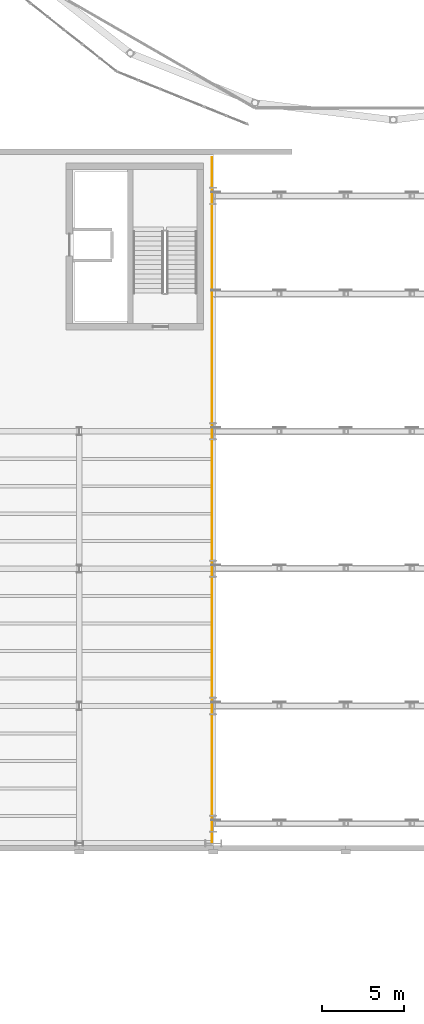
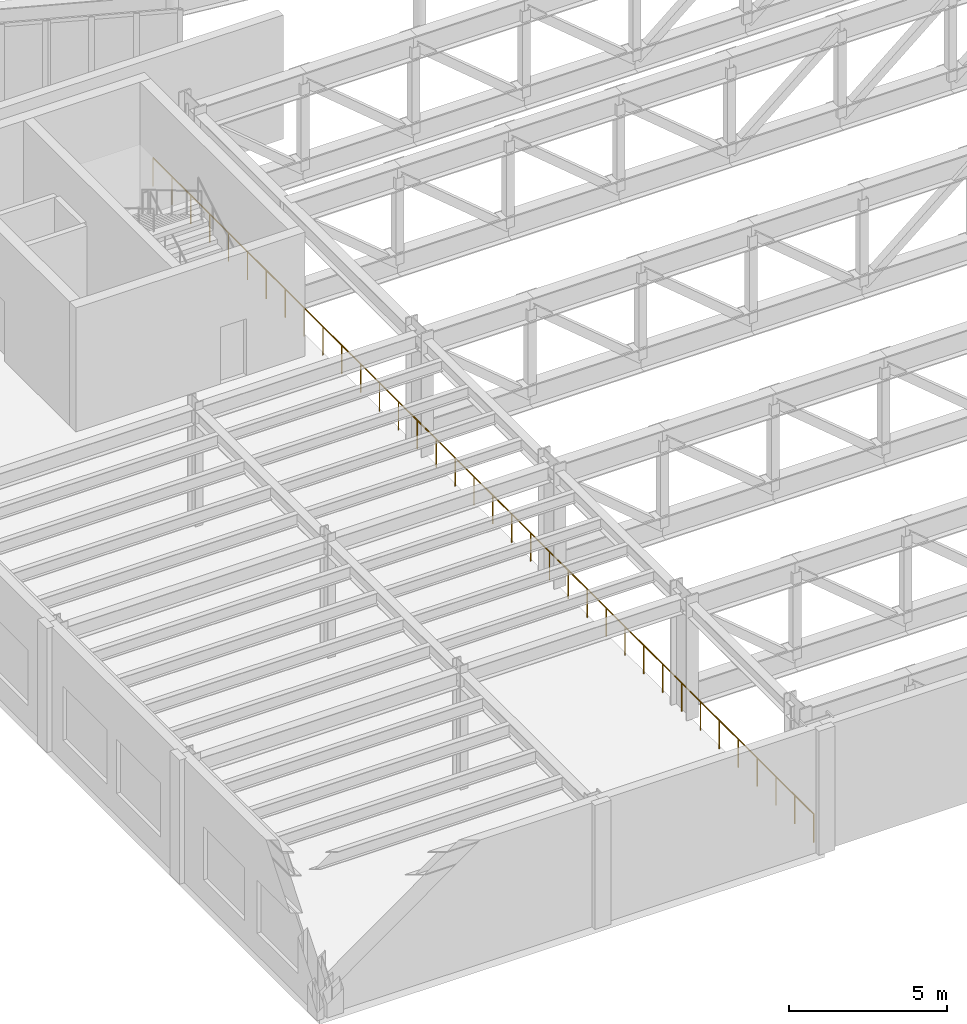
# One storey, part 85 of 91: 1 railing.
"""IFC4 building model written with IfcOpenShell, lengths in metres."""

import ifcopenshell
import ifcopenshell.guid

model = None  # the IFC model being written
_history = None  # IfcOwnerHistory: only IFC2X3 demands one
_inside = {}  # id of a spatial element -> (the spatial element, [elements in it])
_under = {}  # id of a project, library or spatial element -> (it, [spatial elements below it])
_declared = {}  # id of a project -> (the project, [libraries it declares])
_typed = {}  # id of a type object -> (the type object, [elements of that type])
_made_of = {}  # id of a material, layer set ... -> (it, [elements and type objects made of it])


def new_model(schema):
    """Start an empty IFC model of exactly this schema.

    Asked for "IFC4X3", IfcOpenShell would pick the latest addendum, in which some entities
    have other attributes; the version numbers below select the first issue.
    IFC2X3 requires an IfcOwnerHistory on every rooted entity: one is made here for all.
    """
    global model, _history
    if schema == "IFC4X3":
        model = ifcopenshell.file(schema_version=(4, 3, 0, 0))
    else:
        model = ifcopenshell.file(schema=schema)
    _inside.clear()
    _under.clear()
    _declared.clear()
    _typed.clear()
    _made_of.clear()
    _history = None
    if model.schema == "IFC2X3":
        org = make("IfcOrganization", Name="unknown")
        user = make(
            "IfcPersonAndOrganization",
            ThePerson=make("IfcPerson", FamilyName="unknown"),
            TheOrganization=org,
        )
        app = make(
            "IfcApplication",
            ApplicationDeveloper=org,
            Version="unknown",
            ApplicationFullName="unknown",
            ApplicationIdentifier="unknown",
        )
        _history = make(
            "IfcOwnerHistory",
            OwningUser=user,
            OwningApplication=app,
            ChangeAction="ADDED",
            CreationDate=0,
        )
    return model


def make(cls, **values):
    """One entity of the class cls with the attributes given. An attribute that is None is left unset."""
    return model.create_entity(
        cls, **{name: value for name, value in values.items() if value is not None}
    )


def rooted(cls, **values):
    """An entity with a GlobalId (a new one), such as an element, a storey or a relation."""
    return make(cls, GlobalId=ifcopenshell.guid.new(), OwnerHistory=_history, **values)


def si_unit(unit_type, name, prefix=None):
    """IfcSIUnit, for example si_unit("LENGTHUNIT", "METRE", prefix="MILLI")."""
    return make("IfcSIUnit", UnitType=unit_type, Prefix=prefix, Name=name)


def assignment(units):
    """IfcUnitAssignment: the units of a project."""
    return None if units is None else make("IfcUnitAssignment", Units=units)


def point(xyz):
    """IfcCartesianPoint."""
    return None if xyz is None else make("IfcCartesianPoint", Coordinates=xyz)


def direction(xyz):
    """IfcDirection."""
    return None if xyz is None else make("IfcDirection", DirectionRatios=xyz)


def frame(location, z_axis=None, x_axis=None):
    """IfcAxis2Placement3D, a coordinate frame: its origin and axes. An axis left out is left unset."""
    return make(
        "IfcAxis2Placement3D",
        Location=point(location),
        Axis=direction(z_axis),
        RefDirection=direction(x_axis),
    )


def frame_2d(location, x_axis=None):
    """IfcAxis2Placement2D, a coordinate frame in the plane: its origin and x axis."""
    return make(
        "IfcAxis2Placement2D", Location=point(location), RefDirection=direction(x_axis)
    )


def origin():
    """The frame at (0, 0, 0) with its axes left unset."""
    return frame((0.0, 0.0, 0.0))


def origin_2d():
    """The frame at (0, 0) in the plane with its x axis left unset."""
    return frame_2d((0.0, 0.0))


def place(relative_to, where):
    """IfcLocalPlacement: puts the frame where relative to a parent placement (None: the world)."""
    return make(
        "IfcLocalPlacement", PlacementRelTo=relative_to, RelativePlacement=where
    )


def context(
    kind, dimensions, precision=None, world=None, true_north=None, identifier=None
):
    """IfcGeometricRepresentationContext, for example the 3D "Model" context."""
    return make(
        "IfcGeometricRepresentationContext",
        ContextIdentifier=identifier,
        ContextType=kind,
        CoordinateSpaceDimension=dimensions,
        Precision=precision,
        WorldCoordinateSystem=world,
        TrueNorth=true_north,
    )


def subcontext(parent, identifier, kind, view, scale=None):
    """IfcGeometricRepresentationSubContext, for example "Body" below "Model"."""
    return make(
        "IfcGeometricRepresentationSubContext",
        ContextIdentifier=identifier,
        ContextType=kind,
        ParentContext=parent,
        TargetScale=scale,
        TargetView=view,
    )


def project(units=None, contexts=None):
    """IfcProject with its units and contexts."""
    return rooted(
        "IfcProject",
        Name="project",
        RepresentationContexts=contexts,
        UnitsInContext=assignment(units),
    )


def spatial(cls, under=None, at=None, **own):
    """A site, building, storey or space (cls), placed at a placement, below another one or the project."""
    s = rooted(cls, ObjectPlacement=at, **own)
    if under is not None:
        _under.setdefault(under.id(), (under, []))[1].append(s)
    return s


def profile(cls, at=None, kind="AREA", **sizes):
    """A parametric profile (cls). Its sizes go by their IFC names, for example OverallWidth=200.0."""
    return make(cls, ProfileType=kind, Position=at, **sizes)


def circle(**sizes):
    """IfcCircleProfileDef."""
    return profile("IfcCircleProfileDef", **sizes)


def extrude(swept, where, along, depth):
    """IfcExtrudedAreaSolid: the profile swept, set in the frame where, extruded along a direction by depth."""
    return make(
        "IfcExtrudedAreaSolid",
        SweptArea=swept,
        Position=where,
        ExtrudedDirection=direction(along),
        Depth=depth,
    )


def shape(context_of_items, identifier, shape_type, items):
    """IfcShapeRepresentation: the items that make up one representation, for example the "Body"."""
    return make(
        "IfcShapeRepresentation",
        ContextOfItems=context_of_items,
        RepresentationIdentifier=identifier,
        RepresentationType=shape_type,
        Items=items,
    )


def material(Name=None, Category=None):
    """IfcMaterial."""
    return make("IfcMaterial", Name=Name, Category=Category)


def made_of(thing, what):
    """Note that an element or type object is made of a material, layer set ...; save() writes the relation."""
    if what is not None:
        _made_of.setdefault(what.id(), (what, []))[1].append(thing)
    return thing


def type_object(cls, material=None, **own):
    """A type object (cls), such as IfcWallType, which elements share."""
    return made_of(rooted(cls, **own), material)


def element(
    cls,
    number,
    at=None,
    inside=None,
    cuts=None,
    type_object=None,
    material=None,
    context=None,
    identifier="Body",
    shape_type=None,
    held_by="IfcProductDefinitionShape",
    body=None,
    shapes=None,
    **own,
):
    """One element of the class cls, such as IfcWall. Its Tag is "e" and its number.

    at: its placement. inside: the storey or other place that contains it. cuts: it is an
    opening in that element (IfcRelVoidsElement). A single representation is given by context,
    identifier, shape_type and body (its items); several are given by shapes. held_by: the class
    of the entity that holds the representations. save() writes the other relations.
    """
    e = rooted(cls, Tag="e%d" % number, ObjectPlacement=at, **own)
    if body is not None:
        shapes = [shape(context, identifier, shape_type, body)]
    if shapes is not None:
        e.Representation = make(held_by, Representations=shapes)
    if inside is not None:
        _inside.setdefault(inside.id(), (inside, []))[1].append(e)
    if cuts is not None:
        rooted(
            "IfcRelVoidsElement", RelatingBuildingElement=cuts, RelatedOpeningElement=e
        )
    if type_object is not None:
        _typed.setdefault(type_object.id(), (type_object, []))[1].append(e)
    return made_of(e, material)


def aggregate(whole, parts):
    """IfcRelAggregates: a whole, such as a stair, and the parts it consists of."""
    return rooted("IfcRelAggregates", RelatingObject=whole, RelatedObjects=parts)


def save(model, path):
    """Write the relations noted so far, then the file.

    IfcRelAggregates (storeys below a building ...), IfcRelContainedInSpatialStructure (elements
    in a storey), IfcRelDefinesByType, IfcRelAssociatesMaterial and IfcRelDeclares: one each for
    every whole, place, type object, material and project.
    """
    for whole, parts in _under.values():
        aggregate(whole, parts)
    for where, things in _inside.values():
        rooted(
            "IfcRelContainedInSpatialStructure",
            RelatedElements=things,
            RelatingStructure=where,
        )
    for kind, things in _typed.values():
        rooted("IfcRelDefinesByType", RelatedObjects=things, RelatingType=kind)
    for what, things in _made_of.values():
        rooted("IfcRelAssociatesMaterial", RelatedObjects=things, RelatingMaterial=what)
    for by, libraries in _declared.values():
        rooted("IfcRelDeclares", RelatingContext=by, RelatedDefinitions=libraries)
    model.write(path)


model = new_model("IFC4")

# Units and contexts
model_context = context("Model", 3, precision=1e-05, world=origin(), true_north=direction((0.0, 1.0)))
body_context = subcontext(model_context, "Body", "Model", "MODEL_VIEW")
ifc_project = project(units=[si_unit("LENGTHUNIT", "METRE"), si_unit("AREAUNIT", "SQUARE_METRE"), si_unit("VOLUMEUNIT", "CUBIC_METRE"), si_unit("PLANEANGLEUNIT", "RADIAN"), si_unit("MASSUNIT", "GRAM", prefix="KILO")], contexts=[model_context])

# Site, building, storey
site_placement = place(None, origin())
site = spatial("IfcSite", under=ifc_project, at=site_placement, CompositionType="ELEMENT")
building_placement = place(site_placement, origin())
building = spatial("IfcBuilding", under=site, at=building_placement, Name="Sollismere Congress Hotel", CompositionType="ELEMENT")
storey_placement = place(building_placement, frame((0.0, 0.0, 10.800048828125)))
storey = spatial("IfcBuildingStorey", under=building, at=storey_placement, Name="L02", CompositionType="ELEMENT", Elevation=10.800048828125)

# Railing
ifc_material = material(Name="Steel ASTM A500 Grade C", Category="steel")
railing_type = type_object("IfcRailingType", Name="RL-GRD112", PredefinedType="GUARDRAIL", material=ifc_material)
railing_placement = place(storey_placement, frame((17.919921875, 24.85009765625, 0.0)))
element("IfcRailing", 1, at=railing_placement, inside=storey, type_object=railing_type, Name="RLG-GDA-L02-084", PredefinedType="GUARDRAIL", context=body_context, shape_type="SweptSolid", body=[
    extrude(circle(Radius=0.02392578125, at=origin_2d()), frame((0.0, 0.0, 1.09619140625), z_axis=(0.0, 1.0, 0.0), x_axis=(-1.0, 0.0, 0.0)), (0.0, 0.0, 1.0), 41.89990234375),
    extrude(circle(Radius=0.02099609375, at=origin_2d()), origin(), (0.0, 0.0, 1.0), 1.072021484375),
    extrude(circle(Radius=0.02099609375, at=origin_2d()), frame((0.0, 1.197021484375, 0.0)), (0.0, 0.0, 1.0), 1.072021484375),
    extrude(circle(Radius=0.02099609375, at=origin_2d()), frame((0.0, 2.394287109375, 0.0)), (0.0, 0.0, 1.0), 1.072021484375),
    extrude(circle(Radius=0.02099609375, at=origin_2d()), frame((0.0, 3.59130859375, 0.0)), (0.0, 0.0, 1.0), 1.072021484375),
    extrude(circle(Radius=0.02099609375, at=origin_2d()), frame((0.0, 4.78857421875, 0.0)), (0.0, 0.0, 1.0), 1.072021484375),
    extrude(circle(Radius=0.02099609375, at=origin_2d()), frame((0.0, 5.985595703125, 0.0)), (0.0, 0.0, 1.0), 1.072021484375),
    extrude(circle(Radius=0.02099609375, at=origin_2d()), frame((0.0, 7.182861328125, 0.0)), (0.0, 0.0, 1.0), 1.072021484375),
    extrude(circle(Radius=0.02099609375, at=origin_2d()), frame((0.0, 8.3798828125, 0.0)), (0.0, 0.0, 1.0), 1.072021484375),
    extrude(circle(Radius=0.02099609375, at=origin_2d()), frame((0.0, 9.5771484375, 0.0)), (0.0, 0.0, 1.0), 1.072021484375),
    extrude(circle(Radius=0.02099609375, at=origin_2d()), frame((0.0, 10.774169921875, 0.0)), (0.0, 0.0, 1.0), 1.072021484375),
    extrude(circle(Radius=0.02099609375, at=origin_2d()), frame((0.0, 11.971435546875, 0.0)), (0.0, 0.0, 1.0), 1.072021484375),
    extrude(circle(Radius=0.02099609375, at=origin_2d()), frame((0.0, 13.16845703125, 0.0)), (0.0, 0.0, 1.0), 1.072021484375),
    extrude(circle(Radius=0.02099609375, at=origin_2d()), frame((0.0, 14.36572265625, 0.0)), (0.0, 0.0, 1.0), 1.072021484375),
    extrude(circle(Radius=0.02099609375, at=origin_2d()), frame((0.0, 15.562744140625, 0.0)), (0.0, 0.0, 1.0), 1.072021484375),
    extrude(circle(Radius=0.02099609375, at=origin_2d()), frame((0.0, 16.760009765625, 0.0)), (0.0, 0.0, 1.0), 1.072021484375),
    extrude(circle(Radius=0.02099609375, at=origin_2d()), frame((0.0, 17.95703125, 0.0)), (0.0, 0.0, 1.0), 1.072021484375),
    extrude(circle(Radius=0.02099609375, at=origin_2d()), frame((0.0, 19.154296875, 0.0)), (0.0, 0.0, 1.0), 1.072021484375),
    extrude(circle(Radius=0.02099609375, at=origin_2d()), frame((0.0, 20.351318359375, 0.0)), (0.0, 0.0, 1.0), 1.072021484375),
    extrude(circle(Radius=0.02099609375, at=origin_2d()), frame((0.0, 21.548583984375, 0.0)), (0.0, 0.0, 1.0), 1.072021484375),
    extrude(circle(Radius=0.02099609375, at=origin_2d()), frame((0.0, 22.74560546875, 0.0)), (0.0, 0.0, 1.0), 1.072021484375),
    extrude(circle(Radius=0.02099609375, at=origin_2d()), frame((0.0, 23.94287109375, 0.0)), (0.0, 0.0, 1.0), 1.072021484375),
    extrude(circle(Radius=0.02099609375, at=origin_2d()), frame((0.0, 25.139892578125, 0.0)), (0.0, 0.0, 1.0), 1.072021484375),
    extrude(circle(Radius=0.02099609375, at=origin_2d()), frame((0.0, 26.337158203125, 0.0)), (0.0, 0.0, 1.0), 1.072021484375),
    extrude(circle(Radius=0.02099609375, at=origin_2d()), frame((0.0, 27.5341796875, 0.0)), (0.0, 0.0, 1.0), 1.072021484375),
    extrude(circle(Radius=0.02099609375, at=origin_2d()), frame((0.0, 28.7314453125, 0.0)), (0.0, 0.0, 1.0), 1.072021484375),
    extrude(circle(Radius=0.02099609375, at=origin_2d()), frame((0.0, 29.928466796875, 0.0)), (0.0, 0.0, 1.0), 1.072021484375),
    extrude(circle(Radius=0.02099609375, at=origin_2d()), frame((0.0, 31.125732421875, 0.0)), (0.0, 0.0, 1.0), 1.072021484375),
    extrude(circle(Radius=0.02099609375, at=origin_2d()), frame((0.0, 32.32275390625, 0.0)), (0.0, 0.0, 1.0), 1.072021484375),
    extrude(circle(Radius=0.02099609375, at=origin_2d()), frame((0.0, 33.52001953125, 0.0)), (0.0, 0.0, 1.0), 1.072021484375),
    extrude(circle(Radius=0.02099609375, at=origin_2d()), frame((0.0, 34.717041015625, 0.0)), (0.0, 0.0, 1.0), 1.072021484375),
    extrude(circle(Radius=0.02099609375, at=origin_2d()), frame((0.0, 35.914306640625, 0.0)), (0.0, 0.0, 1.0), 1.072021484375),
    extrude(circle(Radius=0.02099609375, at=origin_2d()), frame((0.0, 37.111328125, 0.0)), (0.0, 0.0, 1.0), 1.072021484375),
    extrude(circle(Radius=0.02099609375, at=origin_2d()), frame((0.0, 38.30859375, 0.0)), (0.0, 0.0, 1.0), 1.072021484375),
    extrude(circle(Radius=0.02099609375, at=origin_2d()), frame((0.0, 39.505615234375, 0.0)), (0.0, 0.0, 1.0), 1.072021484375),
    extrude(circle(Radius=0.02099609375, at=origin_2d()), frame((0.0, 40.702880859375, 0.0)), (0.0, 0.0, 1.0), 1.072021484375),
    extrude(circle(Radius=0.02099609375, at=origin_2d()), frame((0.0, 41.89990234375, 0.0)), (0.0, 0.0, 1.0), 1.072021484375),
])

save(model, "model.ifc")
